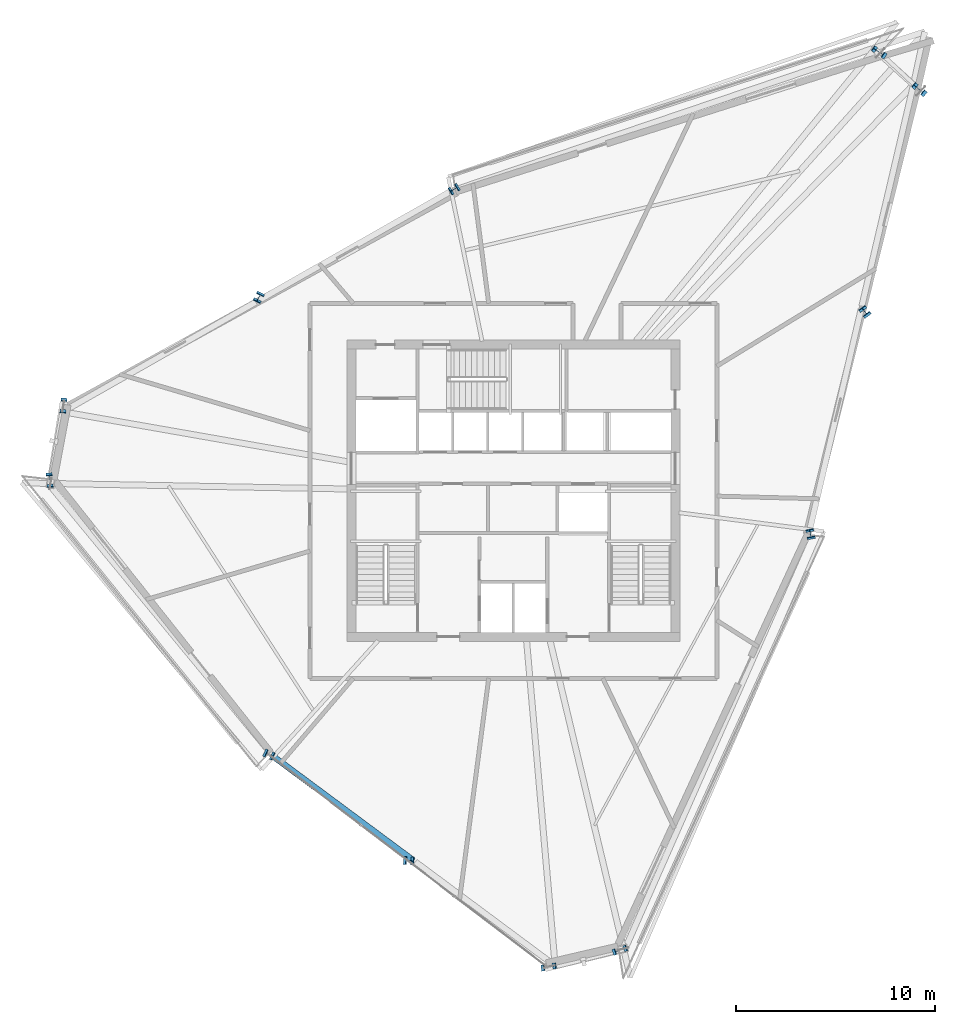
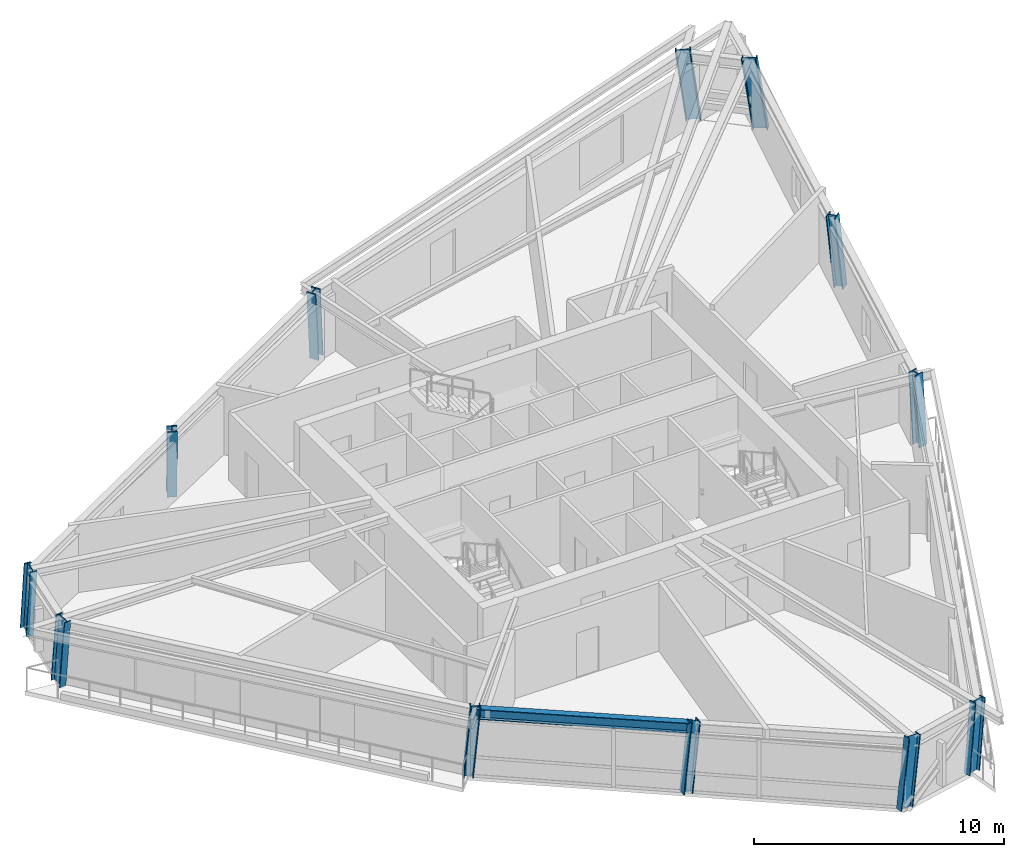
# One storey, part 1 of 13: 12 columns, 1 beam.
"""IFC4 building model written with IfcOpenShell, lengths in metres."""

import ifcopenshell
import ifcopenshell.guid

model = None  # the IFC model being written
_history = None  # IfcOwnerHistory: only IFC2X3 demands one
_inside = {}  # id of a spatial element -> (the spatial element, [elements in it])
_under = {}  # id of a project, library or spatial element -> (it, [spatial elements below it])
_declared = {}  # id of a project -> (the project, [libraries it declares])
_typed = {}  # id of a type object -> (the type object, [elements of that type])
_made_of = {}  # id of a material, layer set ... -> (it, [elements and type objects made of it])


def new_model(schema):
    """Start an empty IFC model of exactly this schema.

    Asked for "IFC4X3", IfcOpenShell would pick the latest addendum, in which some entities
    have other attributes; the version numbers below select the first issue.
    IFC2X3 requires an IfcOwnerHistory on every rooted entity: one is made here for all.
    """
    global model, _history
    if schema == "IFC4X3":
        model = ifcopenshell.file(schema_version=(4, 3, 0, 0))
    else:
        model = ifcopenshell.file(schema=schema)
    _inside.clear()
    _under.clear()
    _declared.clear()
    _typed.clear()
    _made_of.clear()
    _history = None
    if model.schema == "IFC2X3":
        org = make("IfcOrganization", Name="unknown")
        user = make(
            "IfcPersonAndOrganization",
            ThePerson=make("IfcPerson", FamilyName="unknown"),
            TheOrganization=org,
        )
        app = make(
            "IfcApplication",
            ApplicationDeveloper=org,
            Version="unknown",
            ApplicationFullName="unknown",
            ApplicationIdentifier="unknown",
        )
        _history = make(
            "IfcOwnerHistory",
            OwningUser=user,
            OwningApplication=app,
            ChangeAction="ADDED",
            CreationDate=0,
        )
    return model


def make(cls, **values):
    """One entity of the class cls with the attributes given. An attribute that is None is left unset."""
    return model.create_entity(
        cls, **{name: value for name, value in values.items() if value is not None}
    )


def rooted(cls, **values):
    """An entity with a GlobalId (a new one), such as an element, a storey or a relation."""
    return make(cls, GlobalId=ifcopenshell.guid.new(), OwnerHistory=_history, **values)


def si_unit(unit_type, name, prefix=None):
    """IfcSIUnit, for example si_unit("LENGTHUNIT", "METRE", prefix="MILLI")."""
    return make("IfcSIUnit", UnitType=unit_type, Prefix=prefix, Name=name)


def assignment(units):
    """IfcUnitAssignment: the units of a project."""
    return None if units is None else make("IfcUnitAssignment", Units=units)


def point(xyz):
    """IfcCartesianPoint."""
    return None if xyz is None else make("IfcCartesianPoint", Coordinates=xyz)


def direction(xyz):
    """IfcDirection."""
    return None if xyz is None else make("IfcDirection", DirectionRatios=xyz)


def frame(location, z_axis=None, x_axis=None):
    """IfcAxis2Placement3D, a coordinate frame: its origin and axes. An axis left out is left unset."""
    return make(
        "IfcAxis2Placement3D",
        Location=point(location),
        Axis=direction(z_axis),
        RefDirection=direction(x_axis),
    )


def frame_2d(location, x_axis=None):
    """IfcAxis2Placement2D, a coordinate frame in the plane: its origin and x axis."""
    return make(
        "IfcAxis2Placement2D", Location=point(location), RefDirection=direction(x_axis)
    )


def origin():
    """The frame at (0, 0, 0) with its axes left unset."""
    return frame((0.0, 0.0, 0.0))


def origin_2d():
    """The frame at (0, 0) in the plane with its x axis left unset."""
    return frame_2d((0.0, 0.0))


def place(relative_to, where):
    """IfcLocalPlacement: puts the frame where relative to a parent placement (None: the world)."""
    return make(
        "IfcLocalPlacement", PlacementRelTo=relative_to, RelativePlacement=where
    )


def context(
    kind, dimensions, precision=None, world=None, true_north=None, identifier=None
):
    """IfcGeometricRepresentationContext, for example the 3D "Model" context."""
    return make(
        "IfcGeometricRepresentationContext",
        ContextIdentifier=identifier,
        ContextType=kind,
        CoordinateSpaceDimension=dimensions,
        Precision=precision,
        WorldCoordinateSystem=world,
        TrueNorth=true_north,
    )


def subcontext(parent, identifier, kind, view, scale=None):
    """IfcGeometricRepresentationSubContext, for example "Body" below "Model"."""
    return make(
        "IfcGeometricRepresentationSubContext",
        ContextIdentifier=identifier,
        ContextType=kind,
        ParentContext=parent,
        TargetScale=scale,
        TargetView=view,
    )


def project(units=None, contexts=None):
    """IfcProject with its units and contexts."""
    return rooted(
        "IfcProject",
        Name="project",
        RepresentationContexts=contexts,
        UnitsInContext=assignment(units),
    )


def spatial(cls, under=None, at=None, **own):
    """A site, building, storey or space (cls), placed at a placement, below another one or the project."""
    s = rooted(cls, ObjectPlacement=at, **own)
    if under is not None:
        _under.setdefault(under.id(), (under, []))[1].append(s)
    return s


def profile(cls, at=None, kind="AREA", **sizes):
    """A parametric profile (cls). Its sizes go by their IFC names, for example OverallWidth=200.0."""
    return make(cls, ProfileType=kind, Position=at, **sizes)


def i_section(**sizes):
    """IfcIShapeProfileDef."""
    return profile("IfcIShapeProfileDef", **sizes)


def extrude(swept, where, along, depth):
    """IfcExtrudedAreaSolid: the profile swept, set in the frame where, extruded along a direction by depth."""
    return make(
        "IfcExtrudedAreaSolid",
        SweptArea=swept,
        Position=where,
        ExtrudedDirection=direction(along),
        Depth=depth,
    )


def shape(context_of_items, identifier, shape_type, items):
    """IfcShapeRepresentation: the items that make up one representation, for example the "Body"."""
    return make(
        "IfcShapeRepresentation",
        ContextOfItems=context_of_items,
        RepresentationIdentifier=identifier,
        RepresentationType=shape_type,
        Items=items,
    )


def source(mapping_origin, context_of_items, identifier, shape_type, items):
    """IfcRepresentationMap: a shape defined once, which mapped items show again and again."""
    return make(
        "IfcRepresentationMap",
        MappingOrigin=mapping_origin,
        MappedRepresentation=shape(context_of_items, identifier, shape_type, items),
    )


def transform(
    local_origin,
    x_axis=None,
    y_axis=None,
    z_axis=None,
    scale=None,
    scale2=None,
    scale3=None,
    uniform=True,
):
    """IfcCartesianTransformationOperator3D, or its non-uniform kind. x_axis, y_axis, z_axis: its Axis1, 2, 3."""
    if uniform:
        return make(
            "IfcCartesianTransformationOperator3D",
            Axis1=direction(x_axis),
            Axis2=direction(y_axis),
            LocalOrigin=point(local_origin),
            Scale=scale,
            Axis3=direction(z_axis),
        )
    return make(
        "IfcCartesianTransformationOperator3DnonUniform",
        Axis1=direction(x_axis),
        Axis2=direction(y_axis),
        LocalOrigin=point(local_origin),
        Scale=scale,
        Axis3=direction(z_axis),
        Scale2=scale2,
        Scale3=scale3,
    )


def mapped(mapping_source, mapping_target):
    """IfcMappedItem: shows the shape of a source again, moved by a transform."""
    return make(
        "IfcMappedItem", MappingSource=mapping_source, MappingTarget=mapping_target
    )


def material(Name=None, Category=None):
    """IfcMaterial."""
    return make("IfcMaterial", Name=Name, Category=Category)


def material_profile(
    of_material, cross_section, Name=None, Category=None, Priority=None
):
    """IfcMaterialProfile: a cross section and its material."""
    return make(
        "IfcMaterialProfile",
        Name=Name,
        Material=of_material,
        Profile=cross_section,
        Priority=Priority,
        Category=Category,
    )


def profile_set(profiles, Name=None, composite=None):
    """IfcMaterialProfileSet."""
    return make(
        "IfcMaterialProfileSet",
        Name=Name,
        MaterialProfiles=profiles,
        CompositeProfile=composite,
    )


def made_of(thing, what):
    """Note that an element or type object is made of a material, layer set ...; save() writes the relation."""
    if what is not None:
        _made_of.setdefault(what.id(), (what, []))[1].append(thing)
    return thing


def type_object(cls, material=None, **own):
    """A type object (cls), such as IfcWallType, which elements share."""
    return made_of(rooted(cls, **own), material)


def element(
    cls,
    number,
    at=None,
    inside=None,
    cuts=None,
    type_object=None,
    material=None,
    context=None,
    identifier="Body",
    shape_type=None,
    held_by="IfcProductDefinitionShape",
    body=None,
    shapes=None,
    **own,
):
    """One element of the class cls, such as IfcWall. Its Tag is "e" and its number.

    at: its placement. inside: the storey or other place that contains it. cuts: it is an
    opening in that element (IfcRelVoidsElement). A single representation is given by context,
    identifier, shape_type and body (its items); several are given by shapes. held_by: the class
    of the entity that holds the representations. save() writes the other relations.
    """
    e = rooted(cls, Tag="e%d" % number, ObjectPlacement=at, **own)
    if body is not None:
        shapes = [shape(context, identifier, shape_type, body)]
    if shapes is not None:
        e.Representation = make(held_by, Representations=shapes)
    if inside is not None:
        _inside.setdefault(inside.id(), (inside, []))[1].append(e)
    if cuts is not None:
        rooted(
            "IfcRelVoidsElement", RelatingBuildingElement=cuts, RelatedOpeningElement=e
        )
    if type_object is not None:
        _typed.setdefault(type_object.id(), (type_object, []))[1].append(e)
    return made_of(e, material)


def aggregate(whole, parts):
    """IfcRelAggregates: a whole, such as a stair, and the parts it consists of."""
    return rooted("IfcRelAggregates", RelatingObject=whole, RelatedObjects=parts)


def save(model, path):
    """Write the relations noted so far, then the file.

    IfcRelAggregates (storeys below a building ...), IfcRelContainedInSpatialStructure (elements
    in a storey), IfcRelDefinesByType, IfcRelAssociatesMaterial and IfcRelDeclares: one each for
    every whole, place, type object, material and project.
    """
    for whole, parts in _under.values():
        aggregate(whole, parts)
    for where, things in _inside.values():
        rooted(
            "IfcRelContainedInSpatialStructure",
            RelatedElements=things,
            RelatingStructure=where,
        )
    for kind, things in _typed.values():
        rooted("IfcRelDefinesByType", RelatedObjects=things, RelatingType=kind)
    for what, things in _made_of.values():
        rooted("IfcRelAssociatesMaterial", RelatedObjects=things, RelatingMaterial=what)
    for by, libraries in _declared.values():
        rooted("IfcRelDeclares", RelatingContext=by, RelatedDefinitions=libraries)
    model.write(path)


model = new_model("IFC4")

# Units and contexts
model_context = context("Model", 3, precision=1e-05, world=origin(), true_north=direction((0.0, 1.0)))
body_context = subcontext(model_context, "Body", "Model", "MODEL_VIEW")
ifc_project = project(units=[si_unit("LENGTHUNIT", "METRE"), si_unit("AREAUNIT", "SQUARE_METRE"), si_unit("VOLUMEUNIT", "CUBIC_METRE"), si_unit("PLANEANGLEUNIT", "RADIAN"), si_unit("MASSUNIT", "GRAM", prefix="KILO")], contexts=[model_context])

# Site, building, storey
site_placement = place(None, origin())
site = spatial("IfcSite", under=ifc_project, at=site_placement, CompositionType="ELEMENT")
building_placement = place(site_placement, origin())
building = spatial("IfcBuilding", under=site, at=building_placement, Name="Olszyna Solenne Hotel", CompositionType="ELEMENT")
storey_placement = place(building_placement, frame((0.0, 0.0, 227.35009765625)))
storey = spatial("IfcBuildingStorey", under=building, at=storey_placement, Name="L60", CompositionType="ELEMENT", Elevation=227.35009765625)

# Columns
ifc_material_1 = material(Name="Steel S460M", Category="steel")
ifc_material_profile_1 = material_profile(ifc_material_1, i_section(OverallWidth=0.304931640625, OverallDepth=0.6201171875, WebThickness=0.02099609375, FlangeThickness=0.0400390625, at=origin_2d()), Name="HEM 600", Category="load-bearing")
ifc_profile_set_1 = profile_set([ifc_material_profile_1], Name="Steel S460M")
column_type_1 = type_object("IfcColumnType", Name="COL-K3", PredefinedType="COLUMN", material=ifc_profile_set_1)
shared_shape_1 = source(origin(), body_context, "Body", "SweptSolid", [
    extrude(i_section(OverallWidth=0.304931640625, OverallDepth=0.6201171875, WebThickness=0.02099609375, FlangeThickness=0.0400390625, at=origin_2d()), origin(), (0.0, 0.0, 1.0), 3.417236328125),
])
column_1_placement = place(storey_placement, frame((58.421142578125, 46.6630859375, 0.0), z_axis=(-0.105736010762, 0.087232208879, 0.99056066839), x_axis=(-0.636382954796, -0.77137327854, 0.0)))
element("IfcColumn", 1, at=column_1_placement, inside=storey, type_object=column_type_1, Name="Perimeter framed-tube column COL-K3 C-L60-01", PredefinedType="COLUMN", context=body_context, shape_type="MappedRepresentation", body=[
    mapped(shared_shape_1, transform((0.0, 0.0, 0.0), x_axis=(1.0, 0.0, 0.0), y_axis=(0.0, 1.0, 0.0), z_axis=(0.0, 0.0, 1.0), scale=1.0)),
])
shared_shape_2 = source(origin(), body_context, "Body", "SweptSolid", [
    extrude(i_section(OverallWidth=0.304931640625, OverallDepth=0.6201171875, WebThickness=0.02099609375, FlangeThickness=0.0400390625, at=origin_2d()), origin(), (0.0, 0.0, 1.0), 3.412841796875),
])
column_2_placement = place(storey_placement, frame((56.408203125, 48.54345703125, 0.0), z_axis=(-0.106088444309, 0.070534865872, 0.991851841093), x_axis=(-0.553663105178, -0.832740755557, 0.0)))
element("IfcColumn", 2, at=column_2_placement, inside=storey, type_object=column_type_1, Name="Perimeter framed-tube column COL-K3 C-L60-02", PredefinedType="COLUMN", context=body_context, shape_type="MappedRepresentation", body=[
    mapped(shared_shape_2, transform((0.0, 0.0, 0.0), x_axis=(1.0, 0.0, 0.0), y_axis=(0.0, 1.0, 0.0), z_axis=(0.0, 0.0, 1.0), scale=1.0)),
])
ifc_material_profile_2 = material_profile(ifc_material_1, i_section(OverallWidth=0.406005859375, OverallDepth=0.416015625, WebThickness=0.026611328125, FlangeThickness=0.04150390625, at=origin_2d()), Name="HD 400x382", Category="load-bearing")
ifc_profile_set_2 = profile_set([ifc_material_profile_2], Name="Steel S460M")
column_type_2 = type_object("IfcColumnType", Name="COL-T4", PredefinedType="COLUMN", material=ifc_profile_set_2)
shared_shape_3 = source(origin(), body_context, "Body", "SweptSolid", [
    extrude(i_section(OverallWidth=0.406005859375, OverallDepth=0.416015625, WebThickness=0.026611328125, FlangeThickness=0.04150390625, at=origin_2d()), origin(), (0.0, 0.0, 1.0), 3.39404296875),
])
column_3_placement = place(storey_placement, frame((35.068115234375, 41.744140625, 0.0), z_axis=(-0.062077161408, -0.038339660522, 0.997334696309), x_axis=(0.525471891343, -0.85081096103, 0.0)))
element("IfcColumn", 3, at=column_3_placement, inside=storey, type_object=column_type_2, Name="Perimeter framed-tube column COL-T4 C-L60-03", PredefinedType="COLUMN", context=body_context, shape_type="MappedRepresentation", body=[
    mapped(shared_shape_3, transform((0.0, 0.0, 0.0), x_axis=(1.0, 0.0, 0.0), y_axis=(0.0, 1.0, 0.0), z_axis=(0.0, 0.0, 1.0), scale=1.0)),
])
shared_shape_4 = source(origin(), body_context, "Body", "SweptSolid", [
    extrude(i_section(OverallWidth=0.406005859375, OverallDepth=0.416015625, WebThickness=0.026611328125, FlangeThickness=0.04150390625, at=origin_2d()), origin(), (0.0, 0.0, 1.0), 3.39697265625),
])
column_4_placement = place(storey_placement, frame((25.258056640625, 36.34326171875, 0.0), z_axis=(-0.036582217697, -0.075320558244, 0.996488110744), x_axis=(0.899517796015, -0.436884120393, 0.0)))
element("IfcColumn", 4, at=column_4_placement, inside=storey, type_object=column_type_2, Name="Perimeter framed-tube column COL-T4 C-L60-04", PredefinedType="COLUMN", context=body_context, shape_type="MappedRepresentation", body=[
    mapped(shared_shape_4, transform((0.0, 0.0, 0.0), x_axis=(1.0, 0.0, 0.0), y_axis=(0.0, 1.0, 0.0), z_axis=(0.0, 0.0, 1.0), scale=1.0)),
])
shared_shape_5 = source(origin(), body_context, "Body", "SweptSolid", [
    extrude(i_section(OverallWidth=0.304931640625, OverallDepth=0.6201171875, WebThickness=0.02099609375, FlangeThickness=0.0400390625, at=origin_2d()), origin(), (0.0, 0.0, 1.0), 3.40673828125),
])
column_5_placement = place(storey_placement, frame((15.44775390625, 30.9423828125, 0.0), z_axis=(-0.011036611477, -0.111942773549, 0.993653364437), x_axis=(0.99517500016, -0.098115845086, 0.0)))
element("IfcColumn", 5, at=column_5_placement, inside=storey, type_object=column_type_1, Name="Perimeter framed-tube column COL-K3 C-L60-05", PredefinedType="COLUMN", context=body_context, shape_type="MappedRepresentation", body=[
    mapped(shared_shape_5, transform((0.0, 0.0, 0.0), x_axis=(1.0, 0.0, 0.0), y_axis=(0.0, 1.0, 0.0), z_axis=(0.0, 0.0, 1.0), scale=1.0)),
])
shared_shape_6 = source(origin(), body_context, "Body", "SweptSolid", [
    extrude(i_section(OverallWidth=0.304931640625, OverallDepth=0.6201171875, WebThickness=0.02099609375, FlangeThickness=0.0400390625, at=origin_2d()), origin(), (0.0, 0.0, 1.0), 3.402099609375),
])
column_6_placement = place(storey_placement, frame((14.74560546875, 27.18994140625, 0.0), z_axis=(0.008898359586, -0.099819501483, 0.994965771432), x_axis=(0.9960501548, 0.088792393383, 0.0)))
element("IfcColumn", 6, at=column_6_placement, inside=storey, type_object=column_type_1, Name="Perimeter framed-tube column COL-K3 C-L60-06", PredefinedType="COLUMN", context=body_context, shape_type="MappedRepresentation", body=[
    mapped(shared_shape_6, transform((0.0, 0.0, 0.0), x_axis=(1.0, 0.0, 0.0), y_axis=(0.0, 1.0, 0.0), z_axis=(0.0, 0.0, 1.0), scale=1.0)),
])
shared_shape_7 = source(origin(), body_context, "Body", "SweptSolid", [
    extrude(i_section(OverallWidth=0.406005859375, OverallDepth=0.416015625, WebThickness=0.026611328125, FlangeThickness=0.04150390625, at=origin_2d()), origin(), (0.0, 0.0, 1.0), 3.401611328125),
])
column_7_placement = place(storey_placement, frame((32.697021484375, 8.055419921875, 0.0), z_axis=(0.09847024056, -0.007823073047, 0.995109245888), x_axis=(0.079196525822, 0.996859022278, 0.0)))
element("IfcColumn", 7, at=column_7_placement, inside=storey, type_object=column_type_2, Name="Perimeter framed-tube column COL-T4 C-L60-08", PredefinedType="COLUMN", context=body_context, shape_type="MappedRepresentation", body=[
    mapped(shared_shape_7, transform((0.0, 0.0, 0.0), x_axis=(1.0, 0.0, 0.0), y_axis=(0.0, 1.0, 0.0), z_axis=(0.0, 0.0, 1.0), scale=1.0)),
])
shared_shape_8 = source(origin(), body_context, "Body", "SweptSolid", [
    extrude(i_section(OverallWidth=0.304931640625, OverallDepth=0.6201171875, WebThickness=0.02099609375, FlangeThickness=0.0400390625, at=origin_2d()), origin(), (0.0, 0.0, 1.0), 3.408935546875),
])
column_8_placement = place(storey_placement, frame((39.69775390625, 2.713623046875, 0.0), z_axis=(0.116451399561, 0.020339604843, 0.992988102655), x_axis=(-0.172057014758, 0.985086992947, 0.0)))
element("IfcColumn", 8, at=column_8_placement, inside=storey, type_object=column_type_1, Name="Perimeter framed-tube column COL-K3 C-L60-09", PredefinedType="COLUMN", context=body_context, shape_type="MappedRepresentation", body=[
    mapped(shared_shape_8, transform((0.0, 0.0, 0.0), x_axis=(1.0, 0.0, 0.0), y_axis=(0.0, 1.0, 0.0), z_axis=(0.0, 0.0, 1.0), scale=1.0)),
])
shared_shape_9 = source(origin(), body_context, "Body", "SweptSolid", [
    extrude(i_section(OverallWidth=0.304931640625, OverallDepth=0.6201171875, WebThickness=0.02099609375, FlangeThickness=0.0400390625, at=origin_2d()), origin(), (0.0, 0.0, 1.0), 3.4033203125),
])
column_9_placement = place(storey_placement, frame((43.279541015625, 3.547119140625, 0.0), z_axis=(0.098063478416, 0.033285628372, 0.994623356424), x_axis=(-0.321418363983, 0.946937292166, 0.0)))
element("IfcColumn", 9, at=column_9_placement, inside=storey, type_object=column_type_1, Name="Perimeter framed-tube column COL-K3 C-L60-10", PredefinedType="COLUMN", context=body_context, shape_type="MappedRepresentation", body=[
    mapped(shared_shape_9, transform((0.0, 0.0, 0.0), x_axis=(1.0, 0.0, 0.0), y_axis=(0.0, 1.0, 0.0), z_axis=(0.0, 0.0, 1.0), scale=1.0)),
])
shared_shape_10 = source(origin(), body_context, "Body", "SweptSolid", [
    extrude(i_section(OverallWidth=0.406005859375, OverallDepth=0.416015625, WebThickness=0.026611328125, FlangeThickness=0.04150390625, at=origin_2d()), origin(), (0.0, 0.0, 1.0), 3.398193359375),
])
column_10_placement = place(storey_placement, frame((25.696533203125, 13.39697265625, 0.0), z_axis=(0.080321740107, -0.03599391037, 0.99611889676), x_axis=(0.40893871704, 0.912561847606, 0.0)))
element("IfcColumn", 10, at=column_10_placement, inside=storey, type_object=column_type_2, Name="Perimeter framed-tube column COL-T4 C-L60-07", PredefinedType="COLUMN", context=body_context, shape_type="MappedRepresentation", body=[
    mapped(shared_shape_10, transform((0.0, 0.0, 0.0), x_axis=(1.0, 0.0, 0.0), y_axis=(0.0, 1.0, 0.0), z_axis=(0.0, 0.0, 1.0), scale=1.0)),
])
shared_shape_11 = source(origin(), body_context, "Body", "SweptSolid", [
    extrude(i_section(OverallWidth=0.406005859375, OverallDepth=0.416015625, WebThickness=0.026611328125, FlangeThickness=0.04150390625, at=origin_2d()), origin(), (0.0, 0.0, 1.0), 3.394775390625),
])
column_11_placement = place(storey_placement, frame((52.9052734375, 24.383544921875, 0.0), z_axis=(-0.014886205973, 0.074790600059, 0.997088144055), x_axis=(-0.980761610282, -0.195209282047, 0.0)))
element("IfcColumn", 11, at=column_11_placement, inside=storey, type_object=column_type_2, Name="Perimeter framed-tube column COL-T4 C-L60-11", PredefinedType="COLUMN", context=body_context, shape_type="MappedRepresentation", body=[
    mapped(shared_shape_11, transform((0.0, 0.0, 0.0), x_axis=(1.0, 0.0, 0.0), y_axis=(0.0, 1.0, 0.0), z_axis=(0.0, 0.0, 1.0), scale=1.0)),
])
shared_shape_12 = source(origin(), body_context, "Body", "SweptSolid", [
    extrude(i_section(OverallWidth=0.406005859375, OverallDepth=0.416015625, WebThickness=0.026611328125, FlangeThickness=0.04150390625, at=origin_2d()), origin(), (0.0, 0.0, 1.0), 3.40234375),
])
column_12_placement = place(storey_placement, frame((55.6630859375, 35.5234375, 0.0), z_axis=(-0.060488685139, 0.081082104635, 0.994870248464), x_axis=(-0.80152951898, -0.597955207522, 0.0)))
element("IfcColumn", 12, at=column_12_placement, inside=storey, type_object=column_type_2, Name="Perimeter framed-tube column COL-T4 C-L60-12", PredefinedType="COLUMN", context=body_context, shape_type="MappedRepresentation", body=[
    mapped(shared_shape_12, transform((0.0, 0.0, 0.0), x_axis=(1.0, 0.0, 0.0), y_axis=(0.0, 1.0, 0.0), z_axis=(0.0, 0.0, 1.0), scale=1.0)),
])

# Beam
ifc_material_2 = material(Name="Steel S355J2", Category="steel")
ifc_material_profile_3 = material_profile(ifc_material_2, i_section(OverallWidth=0.300048828125, OverallDepth=0.5, WebThickness=0.014404296875, FlangeThickness=0.028076171875, at=origin_2d()), Name="HEB 500", Category="load-bearing")
ifc_profile_set_3 = profile_set([ifc_material_profile_3], Name="Steel S355J2")
beam_type = type_object("IfcBeamType", Name="BM-S3", PredefinedType="BEAM", material=ifc_profile_set_3)
shared_shape_13 = source(origin(), body_context, "Body", "SweptSolid", [
    extrude(i_section(OverallWidth=0.300048828125, OverallDepth=0.5, WebThickness=0.014404296875, FlangeThickness=0.028076171875, at=origin_2d()), origin(), (0.0, 0.0, 1.0), 8.677734375),
])
beam_placement = place(storey_placement, frame((26.017578125, 13.23876953125, 3.079833984375), z_axis=(0.80278001685, -0.596275309355, 0.0), x_axis=(0.596275309355, 0.80278001685, 0.0)))
element("IfcBeam", 13, at=beam_placement, inside=storey, type_object=beam_type, Name="Perimeter spandrel beam BM-S3 B-L60-1772", PredefinedType="BEAM", context=body_context, shape_type="MappedRepresentation", body=[
    mapped(shared_shape_13, transform((0.0, 0.0, 0.0), x_axis=(1.0, 0.0, 0.0), y_axis=(0.0, 1.0, 0.0), z_axis=(0.0, 0.0, 1.0), scale=1.0)),
])

save(model, "model.ifc")
